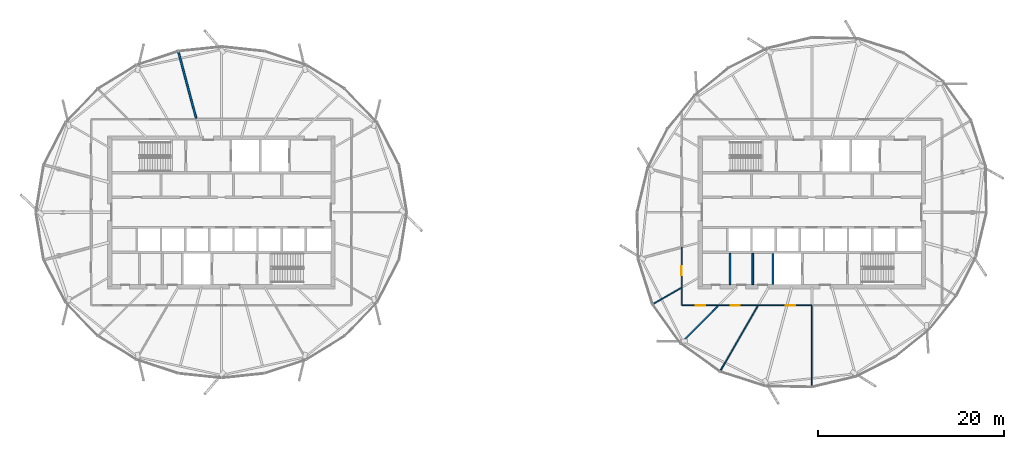
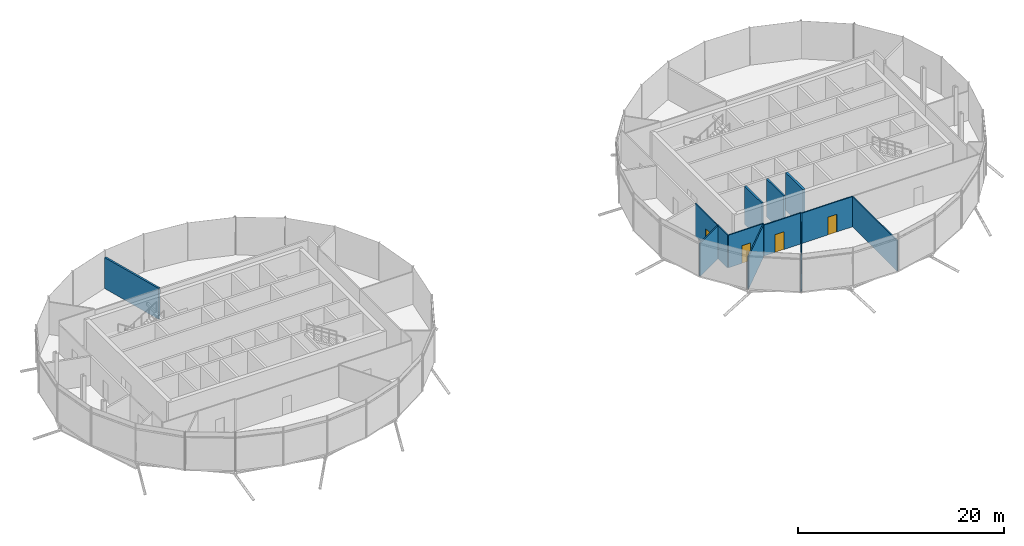
# One storey, part 18 of 31: 13 walls, 4 doors, 4 openings.
"""IFC4 building model written with IfcOpenShell, lengths in metres."""

from ifc_helpers import new_model, si_unit, direction, frame, frame_2d, origin, place, context, subcontext, project, spatial, rectangle, extrude, material, layer, layer_set, type_object, element, fill, save


model = new_model("IFC4")

# Units and contexts
model_context = context("Model", 3, precision=1e-05, world=origin(), true_north=direction((0.0, 1.0)))
body_context = subcontext(model_context, "Body", "Model", "MODEL_VIEW")
ifc_project = project(units=[si_unit("LENGTHUNIT", "METRE"), si_unit("AREAUNIT", "SQUARE_METRE"), si_unit("VOLUMEUNIT", "CUBIC_METRE"), si_unit("PLANEANGLEUNIT", "RADIAN"), si_unit("MASSUNIT", "GRAM", prefix="KILO")], contexts=[model_context])

# Site, building, storey
site_placement = place(None, origin())
site = spatial("IfcSite", under=ifc_project, at=site_placement, CompositionType="ELEMENT")
building_placement = place(site_placement, origin())
building = spatial("IfcBuilding", under=site, at=building_placement, Name="Rimbun Link Towers", CompositionType="ELEMENT")
storey_placement = place(building_placement, frame((0.0, 0.0, 263.10009765625)))
storey = spatial("IfcBuildingStorey", under=building, at=storey_placement, Name="L64", CompositionType="ELEMENT", Elevation=263.10009765625)

# Walls
ifc_material_1 = material(Name="Masonry blockwork", Category="masonry")
ifc_layer_1 = layer(ifc_material_1, 0.199951171875)
ifc_layer_set_1 = layer_set([ifc_layer_1], Name="Core partition 200")
wall_type_1 = type_object("IfcWallType", Name="Core partition 200", PredefinedType="PARTITIONING", material=ifc_layer_set_1)
for number, where, z_axis, x_axis, name in (
    (1, (22.949951171875, -4.39990234375, 0.0), (0.0, 0.0, 1.0), (0.0, -1.0, 0.0), "L64 T2 core wall C1"),
    (2, (25.39990234375, -4.39990234375, 0.0), (0.0, 0.0, 1.0), (0.0, -1.0, 0.0), "L64 T2 core wall C2"),
):
    element("IfcWall", number, at=place(storey_placement, frame(where, z_axis=z_axis, x_axis=x_axis)), inside=storey, type_object=wall_type_1, Name=name, PredefinedType="PARTITIONING", context=body_context, shape_type="SweptSolid", body=[
        extrude(rectangle(XDim=3.375, YDim=0.199951171875, at=frame_2d((1.6875, 0.0))), origin(), (0.0, 0.0, 1.0), 4.5),
    ])
ifc_material_2 = material(Name="Concrete blockwork", Category="masonry")
ifc_layer_2 = layer(ifc_material_2, 0.199951171875)
ifc_layer_set_2 = layer_set([ifc_layer_2], Name="Fire partition 200 blockwork")
wall_type_2 = type_object("IfcWallType", Name="Fire partition 200 blockwork", PredefinedType="PARTITIONING", material=ifc_layer_set_2)
wall_1_placement = place(storey_placement, frame((-36.37939453125, 17.27685546875, 0.0), z_axis=(0.0, 0.0, 1.0), x_axis=(0.258842680114, -0.965919492997, 0.0)))
element("IfcWall", 3, at=wall_1_placement, inside=storey, type_object=wall_type_2, Name="TW/PW/L64/024", PredefinedType="PARTITIONING", context=body_context, shape_type="SweptSolid", body=[
    extrude(rectangle(XDim=7.403076171875, YDim=0.199951171875, at=frame_2d((3.70166015625, 0.0))), origin(), (0.0, 0.0, 1.0), 3.677001953125),
])

# Wall, opening, door
ifc_material_3 = material(Name="Gypsum board on steel studs", Category="steel")
ifc_layer_3 = layer(ifc_material_3, 0.125)
ifc_layer_set_3 = layer_set([ifc_layer_3], Name="Partition 125 board on studs")
wall_type_3 = type_object("IfcWallType", Name="Partition 125 board on studs", PredefinedType="PARTITIONING", material=ifc_layer_set_3)
wall_2_placement = place(storey_placement, frame((17.75, -3.751220703125, 0.0), z_axis=(0.0, 0.0, 1.0), x_axis=(0.0, -1.0, 0.0)))
wall_2 = element("IfcWall", 4, at=wall_2_placement, inside=storey, type_object=wall_type_3, Name="TW/PW/L64/027", PredefinedType="PARTITIONING", context=body_context, shape_type="SweptSolid", body=[
    extrude(rectangle(XDim=4.331787109375, YDim=0.125, at=frame_2d((2.166015625, 0.0))), origin(), (0.0, 0.0, 1.0), 3.8740234375),
])
opening_1_placement = place(wall_2_placement, frame((2.031005859375, 0.0, 0.0)))
opening_1 = element("IfcOpeningElement", 5, at=opening_1_placement, cuts=wall_2, Name="Opening TW D64.12", PredefinedType="OPENING", context=body_context, shape_type="SweptSolid", body=[
    extrude(rectangle(XDim=1.0, YDim=2.10009765625, at=frame_2d((0.5, 1.050048828125))), frame((0.0, 0.072509765625, 0.0), z_axis=(0.0, -1.0, 0.0), x_axis=(1.0, 0.0, 0.0)), (0.0, 0.0, 1.0), 0.14501953125),
])
ifc_material_4 = material(Name="Timber door set", Category="wood")
door_type = type_object("IfcDoorType", Name="Door single leaf 1000 x 2100", OperationType="NOTDEFINED", PredefinedType="DOOR", material=ifc_material_4)
door_1_placement = place(opening_1_placement, origin())
door_1 = element("IfcDoor", 6, at=door_1_placement, inside=storey, type_object=door_type, Name="TW/DR/L64/012", OperationType="SINGLE_SWING_LEFT", OverallHeight=2.10009765625, OverallWidth=1.0, PredefinedType="DOOR", context=body_context, shape_type="SweptSolid", body=[
    extrude(rectangle(XDim=1.0, YDim=2.10009765625, at=frame_2d((0.5, 1.050048828125))), frame((0.0, 0.02490234375, 0.0), z_axis=(0.0, -1.0, 0.0), x_axis=(1.0, 0.0, 0.0)), (0.0, 0.0, 1.0), 0.050048828125),
])
fill(opening_1, door_1)

# Wall
wall_3_placement = place(storey_placement, frame((17.75, -8.0830078125, 0.0), z_axis=(0.0, 0.0, 1.0), x_axis=(0.0, -1.0, 0.0)))
element("IfcWall", 7, at=wall_3_placement, inside=storey, type_object=wall_type_3, Name="TW/PW/L64/028", PredefinedType="PARTITIONING", context=body_context, shape_type="SweptSolid", body=[
    extrude(rectangle(XDim=1.9169921875, YDim=0.125, at=frame_2d((0.95849609375, 0.0))), origin(), (0.0, 0.0, 1.0), 3.8740234375),
])

# Wall, opening, door
wall_4_placement = place(storey_placement, frame((17.8125, -10.0, 0.0), z_axis=(0.0, 0.0, 1.0), x_axis=(1.0, 0.0, 0.0)))
wall_4 = element("IfcWall", 8, at=wall_4_placement, inside=storey, type_object=wall_type_3, Name="TW/PW/L64/029", PredefinedType="PARTITIONING", context=body_context, shape_type="SweptSolid", body=[
    extrude(rectangle(XDim=3.9375, YDim=0.125, at=frame_2d((1.96875, 0.0))), origin(), (0.0, 0.0, 1.0), 3.8740234375),
])
opening_2_placement = place(wall_4_placement, frame((1.468994140625, 0.0, 0.0)))
opening_2 = element("IfcOpeningElement", 9, at=opening_2_placement, cuts=wall_4, Name="Opening TW D64.13", PredefinedType="OPENING", context=body_context, shape_type="SweptSolid", body=[
    extrude(rectangle(XDim=1.0, YDim=2.10009765625, at=frame_2d((0.5, 1.050048828125))), frame((0.0, 0.072509765625, 0.0), z_axis=(0.0, -1.0, 0.0), x_axis=(1.0, 0.0, 0.0)), (0.0, 0.0, 1.0), 0.14501953125),
])
door_2_placement = place(opening_2_placement, origin())
door_2 = element("IfcDoor", 10, at=door_2_placement, inside=storey, type_object=door_type, Name="TW/DR/L64/013", OperationType="SINGLE_SWING_RIGHT", OverallHeight=2.10009765625, OverallWidth=1.0, PredefinedType="DOOR", context=body_context, shape_type="SweptSolid", body=[
    extrude(rectangle(XDim=1.0, YDim=2.10009765625, at=frame_2d((0.5, 1.050048828125))), frame((0.0, 0.02490234375, 0.0), z_axis=(0.0, -1.0, 0.0), x_axis=(1.0, 0.0, 0.0)), (0.0, 0.0, 1.0), 0.050048828125),
])
fill(opening_2, door_2)

wall_5_placement = place(storey_placement, frame((21.75, -10.0, 0.0), z_axis=(0.0, 0.0, 1.0), x_axis=(1.0, 0.0, 0.0)))
wall_5 = element("IfcWall", 11, at=wall_5_placement, inside=storey, type_object=wall_type_3, Name="TW/PW/L64/030", PredefinedType="PARTITIONING", context=body_context, shape_type="SweptSolid", body=[
    extrude(rectangle(XDim=4.2265625, YDim=0.125, at=frame_2d((2.11328125, 0.0))), origin(), (0.0, 0.0, 1.0), 3.677001953125),
])
opening_3_placement = place(wall_5_placement, frame((1.263916015625, 0.0, 0.0)))
opening_3 = element("IfcOpeningElement", 12, at=opening_3_placement, cuts=wall_5, Name="Opening TW D64.14", PredefinedType="OPENING", context=body_context, shape_type="SweptSolid", body=[
    extrude(rectangle(XDim=1.0, YDim=2.10009765625, at=frame_2d((0.5, 1.050048828125))), frame((0.0, 0.072509765625, 0.0), z_axis=(0.0, -1.0, 0.0), x_axis=(1.0, 0.0, 0.0)), (0.0, 0.0, 1.0), 0.14501953125),
])
door_3_placement = place(opening_3_placement, origin())
door_3 = element("IfcDoor", 13, at=door_3_placement, inside=storey, type_object=door_type, Name="TW/DR/L64/014", OperationType="SINGLE_SWING_LEFT", OverallHeight=2.10009765625, OverallWidth=1.0, PredefinedType="DOOR", context=body_context, shape_type="SweptSolid", body=[
    extrude(rectangle(XDim=1.0, YDim=2.10009765625, at=frame_2d((0.5, 1.050048828125))), frame((0.0, 0.02490234375, 0.0), z_axis=(0.0, -1.0, 0.0), x_axis=(1.0, 0.0, 0.0)), (0.0, 0.0, 1.0), 0.050048828125),
])
fill(opening_3, door_3)

wall_6_placement = place(storey_placement, frame((25.9765625, -10.0, 0.0), z_axis=(0.0, 0.0, 1.0), x_axis=(1.0, 0.0, 0.0)))
wall_6 = element("IfcWall", 14, at=wall_6_placement, inside=storey, type_object=wall_type_3, Name="TW/PW/L64/031", PredefinedType="PARTITIONING", context=body_context, shape_type="SweptSolid", body=[
    extrude(rectangle(XDim=5.7734375, YDim=0.125, at=frame_2d((2.88671875, 0.0))), origin(), (0.0, 0.0, 1.0), 3.596923828125),
])
opening_4_placement = place(wall_6_placement, frame((2.968017578125, 0.0, 0.0)))
opening_4 = element("IfcOpeningElement", 15, at=opening_4_placement, cuts=wall_6, Name="Opening TW D64.15", PredefinedType="OPENING", context=body_context, shape_type="SweptSolid", body=[
    extrude(rectangle(XDim=1.0, YDim=2.10009765625, at=frame_2d((0.5, 1.050048828125))), frame((0.0, 0.072509765625, 0.0), z_axis=(0.0, -1.0, 0.0), x_axis=(1.0, 0.0, 0.0)), (0.0, 0.0, 1.0), 0.14501953125),
])
door_4_placement = place(opening_4_placement, origin())
door_4 = element("IfcDoor", 16, at=door_4_placement, inside=storey, type_object=door_type, Name="TW/DR/L64/015", OperationType="SINGLE_SWING_RIGHT", OverallHeight=2.10009765625, OverallWidth=1.0, PredefinedType="DOOR", context=body_context, shape_type="SweptSolid", body=[
    extrude(rectangle(XDim=1.0, YDim=2.10009765625, at=frame_2d((0.5, 1.050048828125))), frame((0.0, 0.02490234375, 0.0), z_axis=(0.0, -1.0, 0.0), x_axis=(1.0, 0.0, 0.0)), (0.0, 0.0, 1.0), 0.050048828125),
])
fill(opening_4, door_4)

# Walls
wall_7_placement = place(storey_placement, frame((14.66455078125, -9.8642578125, 0.0), z_axis=(0.0, 0.0, 1.0), x_axis=(0.866020819514, 0.500007940106, 0.0)))
element("IfcWall", 17, at=wall_7_placement, inside=storey, type_object=wall_type_3, Name="TW/PW/L64/042", PredefinedType="PARTITIONING", context=body_context, shape_type="SweptSolid", body=[
    extrude(rectangle(XDim=3.45458984375, YDim=0.125, at=frame_2d((1.727294921875, 0.0))), origin(), (0.0, 0.0, 1.0), 3.8740234375),
])
wall_8_placement = place(storey_placement, frame((17.681396484375, -14.068603515625, 0.0), z_axis=(0.0, 0.0, 1.0), x_axis=(0.707106781187, 0.707106781187, 0.0)))
element("IfcWall", 18, at=wall_8_placement, inside=storey, type_object=wall_type_3, Name="TW/PW/L64/044", PredefinedType="PARTITIONING", context=body_context, shape_type="SweptSolid", body=[
    extrude(rectangle(XDim=5.60302734375, YDim=0.125, at=frame_2d((2.801513671875, 0.0))), origin(), (0.0, 0.0, 1.0), 3.826904296875),
])
wall_9_placement = place(storey_placement, frame((21.8857421875, -17.08544921875, 0.0), z_axis=(0.0, 0.0, 1.0), x_axis=(0.499996438971, 0.866027459735, 0.0)))
element("IfcWall", 19, at=wall_9_placement, inside=storey, type_object=wall_type_3, Name="TW/PW/L64/045", PredefinedType="PARTITIONING", context=body_context, shape_type="SweptSolid", body=[
    extrude(rectangle(XDim=8.0732421875, YDim=0.125, at=frame_2d((4.03662109375, 0.0))), origin(), (0.0, 0.0, 1.0), 3.677001953125),
])
wall_10_placement = place(storey_placement, frame((31.75, -18.739990234375, 0.0), z_axis=(0.0, 0.0, 1.0), x_axis=(0.0, 1.0, 0.0)))
element("IfcWall", 20, at=wall_10_placement, inside=storey, type_object=wall_type_3, Name="TW/PW/L64/046", PredefinedType="PARTITIONING", context=body_context, shape_type="SweptSolid", body=[
    extrude(rectangle(XDim=8.677490234375, YDim=0.125, at=frame_2d((4.3388671875, 0.0))), origin(), (0.0, 0.0, 1.0), 3.596923828125),
])
ifc_material_5 = material(Name="Concrete C60/75", Category="concrete")
ifc_layer_4 = layer(ifc_material_5, 0.25)
ifc_layer_set_4 = layer_set([ifc_layer_4], Name="Shaft wall 250")
wall_type_4 = type_object("IfcWallType", Name="Shaft wall 250", PredefinedType="SHEAR", material=ifc_layer_set_4)
wall_11_placement = place(storey_placement, frame((27.574951171875, -4.39990234375, 0.0), z_axis=(0.0, 0.0, 1.0), x_axis=(0.0, -1.0, 0.0)))
element("IfcWall", 21, at=wall_11_placement, inside=storey, type_object=wall_type_4, Name="L64 T2 core wall B3", PredefinedType="SHEAR", context=body_context, shape_type="SweptSolid", body=[
    extrude(rectangle(XDim=3.375, YDim=0.25, at=frame_2d((1.6875, 0.0))), origin(), (0.0, 0.0, 1.0), 4.5),
])

save(model, "model.ifc")
